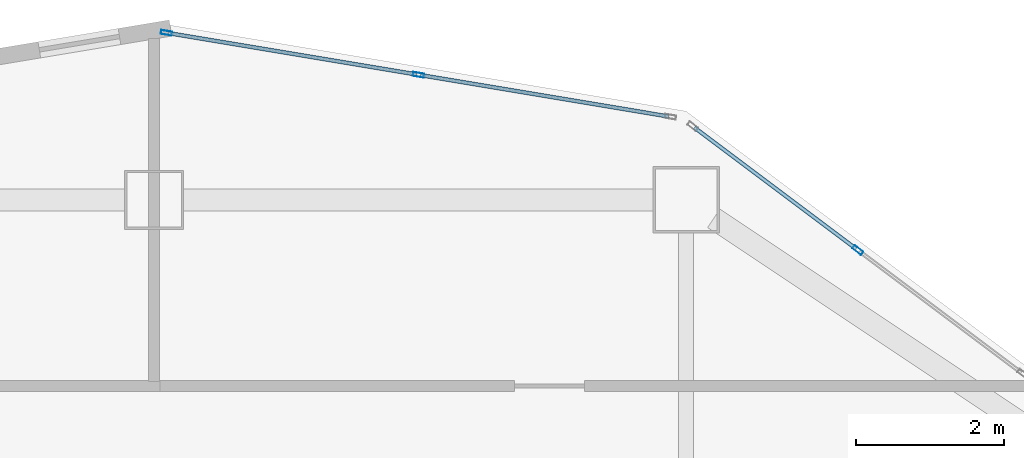
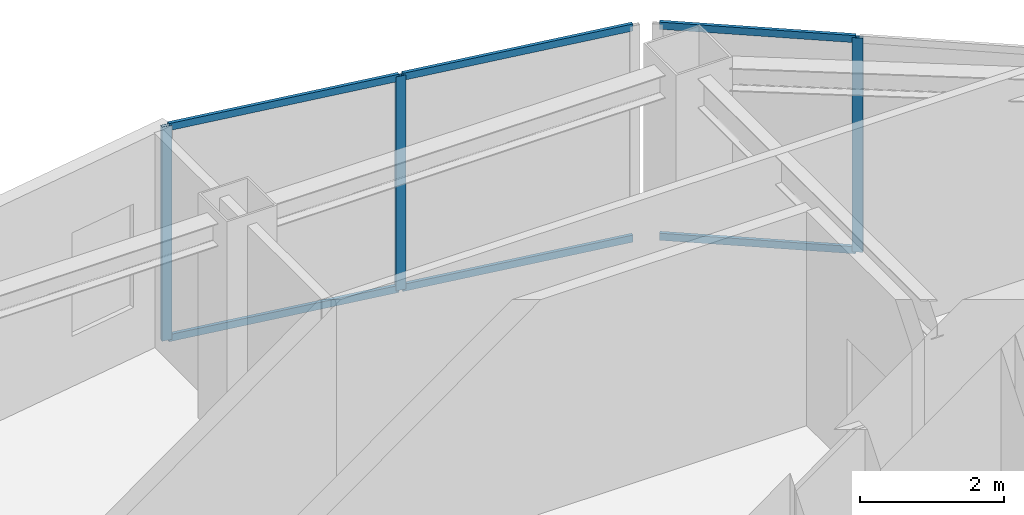
# One storey, part 2 of 10: 9 members, 2 elements without a shape of their own.
"""IFC4 building model written with IfcOpenShell, lengths in metres."""

import ifcopenshell
import ifcopenshell.guid

model = None  # the IFC model being written
_history = None  # IfcOwnerHistory: only IFC2X3 demands one
_inside = {}  # id of a spatial element -> (the spatial element, [elements in it])
_under = {}  # id of a project, library or spatial element -> (it, [spatial elements below it])
_declared = {}  # id of a project -> (the project, [libraries it declares])
_typed = {}  # id of a type object -> (the type object, [elements of that type])
_made_of = {}  # id of a material, layer set ... -> (it, [elements and type objects made of it])


def new_model(schema):
    """Start an empty IFC model of exactly this schema.

    Asked for "IFC4X3", IfcOpenShell would pick the latest addendum, in which some entities
    have other attributes; the version numbers below select the first issue.
    IFC2X3 requires an IfcOwnerHistory on every rooted entity: one is made here for all.
    """
    global model, _history
    if schema == "IFC4X3":
        model = ifcopenshell.file(schema_version=(4, 3, 0, 0))
    else:
        model = ifcopenshell.file(schema=schema)
    _inside.clear()
    _under.clear()
    _declared.clear()
    _typed.clear()
    _made_of.clear()
    _history = None
    if model.schema == "IFC2X3":
        org = make("IfcOrganization", Name="unknown")
        user = make(
            "IfcPersonAndOrganization",
            ThePerson=make("IfcPerson", FamilyName="unknown"),
            TheOrganization=org,
        )
        app = make(
            "IfcApplication",
            ApplicationDeveloper=org,
            Version="unknown",
            ApplicationFullName="unknown",
            ApplicationIdentifier="unknown",
        )
        _history = make(
            "IfcOwnerHistory",
            OwningUser=user,
            OwningApplication=app,
            ChangeAction="ADDED",
            CreationDate=0,
        )
    return model


def make(cls, **values):
    """One entity of the class cls with the attributes given. An attribute that is None is left unset."""
    return model.create_entity(
        cls, **{name: value for name, value in values.items() if value is not None}
    )


def rooted(cls, **values):
    """An entity with a GlobalId (a new one), such as an element, a storey or a relation."""
    return make(cls, GlobalId=ifcopenshell.guid.new(), OwnerHistory=_history, **values)


def si_unit(unit_type, name, prefix=None):
    """IfcSIUnit, for example si_unit("LENGTHUNIT", "METRE", prefix="MILLI")."""
    return make("IfcSIUnit", UnitType=unit_type, Prefix=prefix, Name=name)


def assignment(units):
    """IfcUnitAssignment: the units of a project."""
    return None if units is None else make("IfcUnitAssignment", Units=units)


def point(xyz):
    """IfcCartesianPoint."""
    return None if xyz is None else make("IfcCartesianPoint", Coordinates=xyz)


def direction(xyz):
    """IfcDirection."""
    return None if xyz is None else make("IfcDirection", DirectionRatios=xyz)


def frame(location, z_axis=None, x_axis=None):
    """IfcAxis2Placement3D, a coordinate frame: its origin and axes. An axis left out is left unset."""
    return make(
        "IfcAxis2Placement3D",
        Location=point(location),
        Axis=direction(z_axis),
        RefDirection=direction(x_axis),
    )


def frame_2d(location, x_axis=None):
    """IfcAxis2Placement2D, a coordinate frame in the plane: its origin and x axis."""
    return make(
        "IfcAxis2Placement2D", Location=point(location), RefDirection=direction(x_axis)
    )


def origin():
    """The frame at (0, 0, 0) with its axes left unset."""
    return frame((0.0, 0.0, 0.0))


def origin_2d():
    """The frame at (0, 0) in the plane with its x axis left unset."""
    return frame_2d((0.0, 0.0))


def place(relative_to, where):
    """IfcLocalPlacement: puts the frame where relative to a parent placement (None: the world)."""
    return make(
        "IfcLocalPlacement", PlacementRelTo=relative_to, RelativePlacement=where
    )


def context(
    kind, dimensions, precision=None, world=None, true_north=None, identifier=None
):
    """IfcGeometricRepresentationContext, for example the 3D "Model" context."""
    return make(
        "IfcGeometricRepresentationContext",
        ContextIdentifier=identifier,
        ContextType=kind,
        CoordinateSpaceDimension=dimensions,
        Precision=precision,
        WorldCoordinateSystem=world,
        TrueNorth=true_north,
    )


def subcontext(parent, identifier, kind, view, scale=None):
    """IfcGeometricRepresentationSubContext, for example "Body" below "Model"."""
    return make(
        "IfcGeometricRepresentationSubContext",
        ContextIdentifier=identifier,
        ContextType=kind,
        ParentContext=parent,
        TargetScale=scale,
        TargetView=view,
    )


def project(units=None, contexts=None):
    """IfcProject with its units and contexts."""
    return rooted(
        "IfcProject",
        Name="project",
        RepresentationContexts=contexts,
        UnitsInContext=assignment(units),
    )


def spatial(cls, under=None, at=None, **own):
    """A site, building, storey or space (cls), placed at a placement, below another one or the project."""
    s = rooted(cls, ObjectPlacement=at, **own)
    if under is not None:
        _under.setdefault(under.id(), (under, []))[1].append(s)
    return s


def profile(cls, at=None, kind="AREA", **sizes):
    """A parametric profile (cls). Its sizes go by their IFC names, for example OverallWidth=200.0."""
    return make(cls, ProfileType=kind, Position=at, **sizes)


def hollow_rectangle(**sizes):
    """IfcRectangleHollowProfileDef."""
    return profile("IfcRectangleHollowProfileDef", **sizes)


def extrude(swept, where, along, depth):
    """IfcExtrudedAreaSolid: the profile swept, set in the frame where, extruded along a direction by depth."""
    return make(
        "IfcExtrudedAreaSolid",
        SweptArea=swept,
        Position=where,
        ExtrudedDirection=direction(along),
        Depth=depth,
    )


def shape(context_of_items, identifier, shape_type, items):
    """IfcShapeRepresentation: the items that make up one representation, for example the "Body"."""
    return make(
        "IfcShapeRepresentation",
        ContextOfItems=context_of_items,
        RepresentationIdentifier=identifier,
        RepresentationType=shape_type,
        Items=items,
    )


def material(Name=None, Category=None):
    """IfcMaterial."""
    return make("IfcMaterial", Name=Name, Category=Category)


def layer(
    of_material, thickness, ventilated=None, Name=None, Category=None, Priority=None
):
    """IfcMaterialLayer: one layer of a wall or slab, of a material (None: an air gap)."""
    return make(
        "IfcMaterialLayer",
        Material=of_material,
        LayerThickness=thickness,
        IsVentilated=ventilated,
        Name=Name,
        Category=Category,
        Priority=Priority,
    )


def layer_set(layers, Name=None):
    """IfcMaterialLayerSet."""
    return make("IfcMaterialLayerSet", MaterialLayers=layers, LayerSetName=Name)


def material_profile(
    of_material, cross_section, Name=None, Category=None, Priority=None
):
    """IfcMaterialProfile: a cross section and its material."""
    return make(
        "IfcMaterialProfile",
        Name=Name,
        Material=of_material,
        Profile=cross_section,
        Priority=Priority,
        Category=Category,
    )


def profile_set(profiles, Name=None, composite=None):
    """IfcMaterialProfileSet."""
    return make(
        "IfcMaterialProfileSet",
        Name=Name,
        MaterialProfiles=profiles,
        CompositeProfile=composite,
    )


def made_of(thing, what):
    """Note that an element or type object is made of a material, layer set ...; save() writes the relation."""
    if what is not None:
        _made_of.setdefault(what.id(), (what, []))[1].append(thing)
    return thing


def type_object(cls, material=None, **own):
    """A type object (cls), such as IfcWallType, which elements share."""
    return made_of(rooted(cls, **own), material)


def element(
    cls,
    number,
    at=None,
    inside=None,
    cuts=None,
    type_object=None,
    material=None,
    context=None,
    identifier="Body",
    shape_type=None,
    held_by="IfcProductDefinitionShape",
    body=None,
    shapes=None,
    **own,
):
    """One element of the class cls, such as IfcWall. Its Tag is "e" and its number.

    at: its placement. inside: the storey or other place that contains it. cuts: it is an
    opening in that element (IfcRelVoidsElement). A single representation is given by context,
    identifier, shape_type and body (its items); several are given by shapes. held_by: the class
    of the entity that holds the representations. save() writes the other relations.
    """
    e = rooted(cls, Tag="e%d" % number, ObjectPlacement=at, **own)
    if body is not None:
        shapes = [shape(context, identifier, shape_type, body)]
    if shapes is not None:
        e.Representation = make(held_by, Representations=shapes)
    if inside is not None:
        _inside.setdefault(inside.id(), (inside, []))[1].append(e)
    if cuts is not None:
        rooted(
            "IfcRelVoidsElement", RelatingBuildingElement=cuts, RelatedOpeningElement=e
        )
    if type_object is not None:
        _typed.setdefault(type_object.id(), (type_object, []))[1].append(e)
    return made_of(e, material)


def aggregate(whole, parts):
    """IfcRelAggregates: a whole, such as a stair, and the parts it consists of."""
    return rooted("IfcRelAggregates", RelatingObject=whole, RelatedObjects=parts)


def save(model, path):
    """Write the relations noted so far, then the file.

    IfcRelAggregates (storeys below a building ...), IfcRelContainedInSpatialStructure (elements
    in a storey), IfcRelDefinesByType, IfcRelAssociatesMaterial and IfcRelDeclares: one each for
    every whole, place, type object, material and project.
    """
    for whole, parts in _under.values():
        aggregate(whole, parts)
    for where, things in _inside.values():
        rooted(
            "IfcRelContainedInSpatialStructure",
            RelatedElements=things,
            RelatingStructure=where,
        )
    for kind, things in _typed.values():
        rooted("IfcRelDefinesByType", RelatedObjects=things, RelatingType=kind)
    for what, things in _made_of.values():
        rooted("IfcRelAssociatesMaterial", RelatedObjects=things, RelatingMaterial=what)
    for by, libraries in _declared.values():
        rooted("IfcRelDeclares", RelatingContext=by, RelatedDefinitions=libraries)
    model.write(path)


model = new_model("IFC4")

# Units and contexts
model_context = context("Model", 3, precision=1e-05, world=origin(), true_north=direction((0.0, 1.0)))
body_context = subcontext(model_context, "Body", "Model", "MODEL_VIEW")
ifc_project = project(units=[si_unit("LENGTHUNIT", "METRE"), si_unit("AREAUNIT", "SQUARE_METRE"), si_unit("VOLUMEUNIT", "CUBIC_METRE"), si_unit("PLANEANGLEUNIT", "RADIAN"), si_unit("MASSUNIT", "GRAM", prefix="KILO")], contexts=[model_context])

# Site, building, storey
site_placement = place(None, origin())
site = spatial("IfcSite", under=ifc_project, at=site_placement, CompositionType="ELEMENT")
building_placement = place(site_placement, origin())
building = spatial("IfcBuilding", under=site, at=building_placement, Name="Haolan Belvedere Tower", CompositionType="ELEMENT")
storey_placement = place(building_placement, frame((0.0, 0.0, 176.60009765625)))
storey = spatial("IfcBuildingStorey", under=building, at=storey_placement, Name="L44", CompositionType="ELEMENT", Elevation=176.60009765625)

# Curtain wall, member
ifc_material_1 = material(Name="Anodised champagne-silver aluminium 6063-T6 and Low-E glass", Category="aluminium")
ifc_layer = layer(ifc_material_1, 0.14990234375, Name="Anodised champagne-silver aluminium 6063-T6 and Low-E glass")
ifc_layer_set = layer_set([ifc_layer], Name="Anodised champagne-silver aluminium 6063-T6 and Low-E glass")
curtain_wall_type = type_object("IfcCurtainWallType", Name="CW-SYS-04", PredefinedType="NOTDEFINED", material=ifc_layer_set)
curtain_wall_1_placement = place(storey_placement, origin())
curtain_wall_1 = element("IfcCurtainWall", 1, at=curtain_wall_1_placement, inside=storey, type_object=curtain_wall_type, Name="L44 CW-SYS-04 ribbon curtain wall 20.1", PredefinedType="NOTDEFINED")
ifc_material_2 = material(Name="Anodised aluminium 6063-T6", Category="aluminium")
ifc_material_profile_1 = material_profile(ifc_material_2, hollow_rectangle(XDim=0.055908203125, YDim=0.14990234375, WallThickness=0.00390625, at=origin_2d()), Name="Anodised aluminium 6063-T6")
ifc_profile_set_1 = profile_set([ifc_material_profile_1], Name="Anodised aluminium 6063-T6")
member_type_1 = type_object("IfcMemberType", Name="CW-SYS-04-MUL", PredefinedType="MULLION", material=ifc_profile_set_1)
member_1_placement = place(storey_placement, frame((47.9228515625, 49.720458984375, 0.0), z_axis=(0.0, 0.0, 1.0), x_axis=(-0.600002837806, -0.799997871638, 0.0)))
member_1 = element("IfcMember", 2, at=member_1_placement, type_object=member_type_1, Name="CW-04 mullion 2", PredefinedType="MULLION", context=body_context, shape_type="SweptSolid", body=[
    extrude(hollow_rectangle(XDim=0.055908203125, YDim=0.14990234375, WallThickness=0.00390625, at=origin_2d()), origin(), (0.0, 0.0, 1.0), 3.619873046875),
])

# Curtain wall, members
curtain_wall_2_placement = place(storey_placement, origin())
curtain_wall_2 = element("IfcCurtainWall", 3, at=curtain_wall_2_placement, inside=storey, type_object=curtain_wall_type, Name="L44 CW-SYS-04 ribbon curtain wall 21.1", PredefinedType="NOTDEFINED")
member_2_placement = place(storey_placement, frame((41.977783203125, 52.09228515625, 0.0), z_axis=(0.0, 0.0, 1.0), x_axis=(-0.164405962825, -0.98639276122, 0.0)))
member_2 = element("IfcMember", 4, at=member_2_placement, type_object=member_type_1, Name="CW-04 mullion 2", PredefinedType="MULLION", context=body_context, shape_type="SweptSolid", body=[
    extrude(hollow_rectangle(XDim=0.055908203125, YDim=0.14990234375, WallThickness=0.00390625, at=origin_2d()), origin(), (0.0, 0.0, 1.0), 3.619873046875),
])
member_3_placement = place(storey_placement, frame((38.565673828125, 52.660888671875, 0.0), z_axis=(0.0, 0.0, 1.0), x_axis=(-0.164405962825, -0.98639276122, 0.0)))
member_3 = element("IfcMember", 5, at=member_3_placement, type_object=member_type_1, Name="CW-04 mullion 3", PredefinedType="MULLION", context=body_context, shape_type="SweptSolid", body=[
    extrude(hollow_rectangle(XDim=0.055908203125, YDim=0.14990234375, WallThickness=0.00390625, at=origin_2d()), origin(), (0.0, 0.0, 1.0), 3.619873046875),
])

# Member
ifc_material_profile_2 = material_profile(ifc_material_2, hollow_rectangle(XDim=0.052001953125, YDim=0.1201171875, WallThickness=0.00390625, at=origin_2d()), Name="Anodised aluminium 6063-T6")
ifc_profile_set_2 = profile_set([ifc_material_profile_2], Name="Anodised aluminium 6063-T6")
member_type_2 = type_object("IfcMemberType", Name="CW-SYS-04-TRN", PredefinedType="USERDEFINED", material=ifc_profile_set_2)
member_4_placement = place(storey_placement, frame((47.900390625, 49.7373046875, 0.02587890625), z_axis=(-0.799978576274, 0.600028563905, 0.0), x_axis=(-0.600028563905, -0.799978576274, 0.0)))
member_4 = element("IfcMember", 6, at=member_4_placement, type_object=member_type_2, Name="CW-04 transom 2.1", ObjectType="TRANSOM", PredefinedType="USERDEFINED", context=body_context, shape_type="SweptSolid", body=[
    extrude(hollow_rectangle(XDim=0.052001953125, YDim=0.1201171875, WallThickness=0.00390625, at=origin_2d()), origin(), (0.0, 0.0, 1.0), 2.735107421875),
])

member_5_placement = place(storey_placement, frame((47.900390625, 49.7373046875, 3.593994140625), z_axis=(-0.799978576274, 0.600028563905, 0.0), x_axis=(-0.600028563905, -0.799978576274, 0.0)))
member_5 = element("IfcMember", 7, at=member_5_placement, type_object=member_type_2, Name="CW-04 transom 2.2", ObjectType="TRANSOM", PredefinedType="USERDEFINED", context=body_context, shape_type="SweptSolid", body=[
    extrude(hollow_rectangle(XDim=0.052001953125, YDim=0.1201171875, WallThickness=0.00390625, at=origin_2d()), origin(), (0.0, 0.0, 1.0), 2.735107421875),
])

aggregate(curtain_wall_1, [member_1, member_4, member_5])

member_6_placement = place(storey_placement, frame((45.362060546875, 51.528076171875, 0.02587890625), z_axis=(-0.986388106252, 0.164433888976, 0.0), x_axis=(-0.164433888976, -0.986388106252, 0.0)))
member_6 = element("IfcMember", 8, at=member_6_placement, type_object=member_type_2, Name="CW-04 transom 1.1", ObjectType="TRANSOM", PredefinedType="USERDEFINED", context=body_context, shape_type="SweptSolid", body=[
    extrude(hollow_rectangle(XDim=0.052001953125, YDim=0.1201171875, WallThickness=0.00390625, at=origin_2d()), origin(), (0.0, 0.0, 1.0), 3.403076171875),
])

member_7_placement = place(storey_placement, frame((45.362060546875, 51.528076171875, 3.593994140625), z_axis=(-0.986388106252, 0.164433888976, 0.0), x_axis=(-0.164433888976, -0.986388106252, 0.0)))
member_7 = element("IfcMember", 9, at=member_7_placement, type_object=member_type_2, Name="CW-04 transom 1.2", ObjectType="TRANSOM", PredefinedType="USERDEFINED", context=body_context, shape_type="SweptSolid", body=[
    extrude(hollow_rectangle(XDim=0.052001953125, YDim=0.1201171875, WallThickness=0.00390625, at=origin_2d()), origin(), (0.0, 0.0, 1.0), 3.403076171875),
])

member_8_placement = place(storey_placement, frame((41.9501953125, 52.096923828125, 0.02587890625), z_axis=(-0.986401678227, 0.164352454169, 0.0), x_axis=(-0.164352454169, -0.986401678227, 0.0)))
member_8 = element("IfcMember", 10, at=member_8_placement, type_object=member_type_2, Name="CW-04 transom 2.1", ObjectType="TRANSOM", PredefinedType="USERDEFINED", context=body_context, shape_type="SweptSolid", body=[
    extrude(hollow_rectangle(XDim=0.052001953125, YDim=0.1201171875, WallThickness=0.00390625, at=origin_2d()), origin(), (0.0, 0.0, 1.0), 3.4033203125),
])

member_9_placement = place(storey_placement, frame((41.9501953125, 52.096923828125, 3.593994140625), z_axis=(-0.986401678227, 0.164352454169, 0.0), x_axis=(-0.164352454169, -0.986401678227, 0.0)))
member_9 = element("IfcMember", 11, at=member_9_placement, type_object=member_type_2, Name="CW-04 transom 2.2", ObjectType="TRANSOM", PredefinedType="USERDEFINED", context=body_context, shape_type="SweptSolid", body=[
    extrude(hollow_rectangle(XDim=0.052001953125, YDim=0.1201171875, WallThickness=0.00390625, at=origin_2d()), origin(), (0.0, 0.0, 1.0), 3.4033203125),
])

aggregate(curtain_wall_2, [member_2, member_3, member_6, member_7, member_8, member_9])

save(model, "model.ifc")
